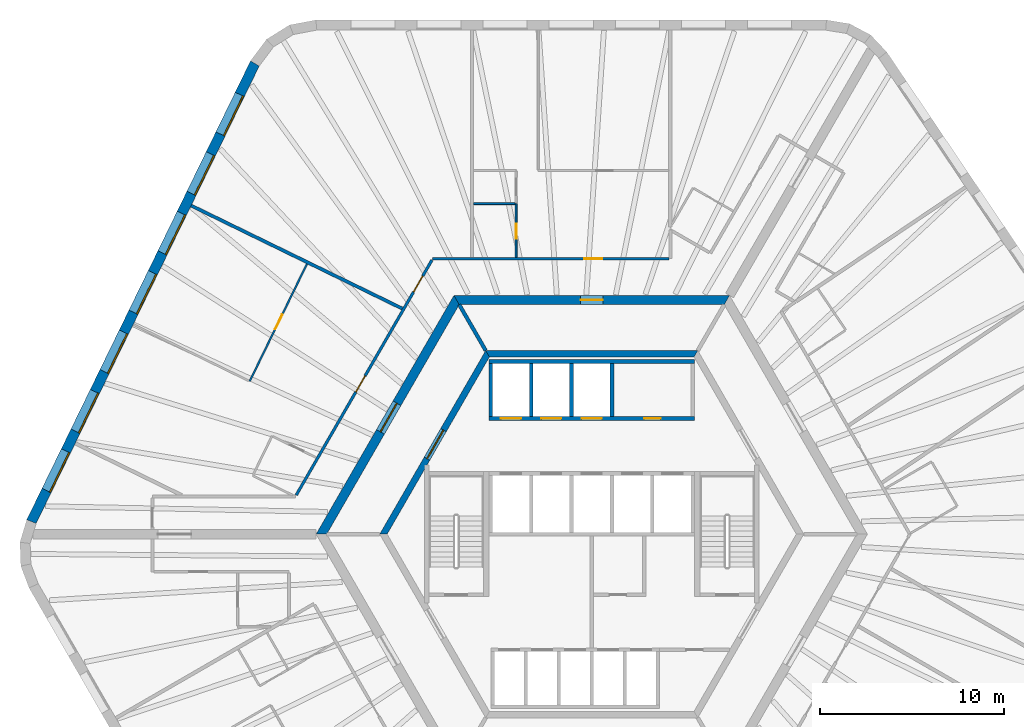
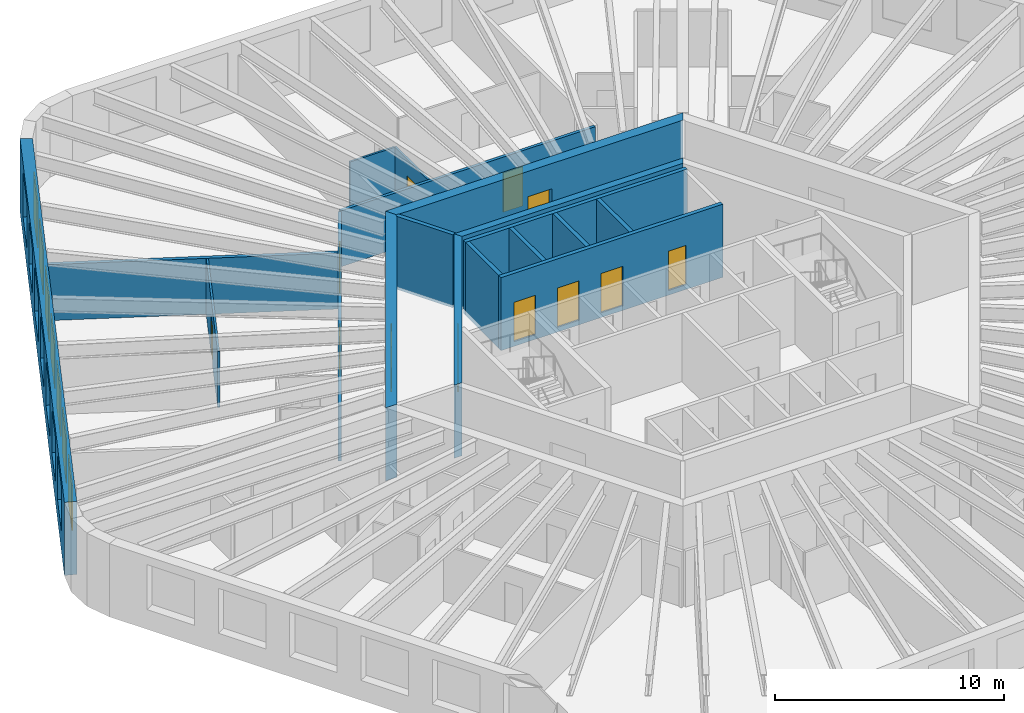
# One storey, part 7 of 10: 18 walls, 12 doors, 7 windows, 19 openings.
"""IFC4 building model written with IfcOpenShell, lengths in metres."""

from ifc_helpers import new_model, si_unit, direction, frame, frame_2d, origin, place, context, subcontext, project, spatial, polyline, rectangle, outline, extrude, material, layer, layer_set, type_object, element, fill, save


model = new_model("IFC4")

# Units and contexts
model_context = context("Model", 3, precision=1e-05, world=origin(), true_north=direction((0.0, 1.0)))
body_context = subcontext(model_context, "Body", "Model", "MODEL_VIEW")
ifc_project = project(units=[si_unit("LENGTHUNIT", "METRE"), si_unit("AREAUNIT", "SQUARE_METRE"), si_unit("VOLUMEUNIT", "CUBIC_METRE"), si_unit("PLANEANGLEUNIT", "RADIAN"), si_unit("MASSUNIT", "GRAM", prefix="KILO")], contexts=[model_context])

# Site, building, storey
site_placement = place(None, origin())
site = spatial("IfcSite", under=ifc_project, at=site_placement, CompositionType="ELEMENT")
building_placement = place(site_placement, origin())
building = spatial("IfcBuilding", under=site, at=building_placement, Name="Tarnside Tower", CompositionType="ELEMENT")
storey_placement = place(building_placement, frame((0.0, 0.0, 199.5)))
storey = spatial("IfcBuildingStorey", under=building, at=storey_placement, Name="L47", CompositionType="ELEMENT", Elevation=199.5)

# Wall, opening, door
ifc_material_1 = material(Name="Gypsum board partition on steel studs", Category="steel")
ifc_layer_1 = layer(ifc_material_1, 0.10009765625)
ifc_layer_set_1 = layer_set([ifc_layer_1], Name="Bathroom wall 100")
wall_type_1 = type_object("IfcWallType", Name="Bathroom wall 100", PredefinedType="PARTITIONING", material=ifc_layer_set_1)
wall_1_placement = place(storey_placement, frame((-4.117919921875, 18.0, 0.0), z_axis=(0.0, 0.0, 1.0), x_axis=(0.0, -1.0, 0.0)))
wall_1 = element("IfcWall", 1, at=wall_1_placement, inside=storey, type_object=wall_type_1, Name="Bathroom wall 15054", PredefinedType="PARTITIONING", context=body_context, shape_type="SweptSolid", body=[
    extrude(rectangle(XDim=2.925048828125, YDim=0.10009765625, at=frame_2d((1.46240234375, 0.0))), origin(), (0.0, 0.0, 1.0), 2.98779296875),
])
opening_1_placement = place(wall_1_placement, frame((1.10009765625, 0.0, 0.0)))
opening_1 = element("IfcOpeningElement", 2, at=opening_1_placement, cuts=wall_1, Name="Opening D-B1", PredefinedType="OPENING", context=body_context, shape_type="SweptSolid", body=[
    extrude(rectangle(XDim=0.800048828125, YDim=2.10009765625, at=frame_2d((0.39990234375, 1.050048828125))), frame((0.0, 0.06005859375, 0.0), z_axis=(0.0, -1.0, 0.0), x_axis=(1.0, 0.0, 0.0)), (0.0, 0.0, 1.0), 0.1201171875),
])
ifc_material_2 = material(Name="Timber door leaf", Category="wood")
door_type_1 = type_object("IfcDoorType", Name="Bathroom door 800", OperationType="NOTDEFINED", PredefinedType="DOOR", material=ifc_material_2)
door_1_placement = place(opening_1_placement, origin())
door_1 = element("IfcDoor", 3, at=door_1_placement, inside=storey, type_object=door_type_1, Name="Bathroom door 15004", OperationType="SINGLE_SWING_LEFT", OverallHeight=2.10009765625, OverallWidth=0.800048828125, PredefinedType="DOOR", context=body_context, shape_type="SweptSolid", body=[
    extrude(rectangle(XDim=0.800048828125, YDim=2.10009765625, at=frame_2d((0.39990234375, 1.050048828125))), frame((0.0, 0.02490234375, 0.0), z_axis=(0.0, -1.0, 0.0), x_axis=(1.0, 0.0, 0.0)), (0.0, 0.0, 1.0), 0.050048828125),
])
fill(opening_1, door_1)

# Wall
wall_2_placement = place(storey_placement, frame((-4.16796875, 18.0, 0.0), z_axis=(0.0, 0.0, 1.0), x_axis=(-1.0, 0.0, 0.0)))
element("IfcWall", 4, at=wall_2_placement, inside=storey, type_object=wall_type_1, Name="Bathroom wall 15060", PredefinedType="PARTITIONING", context=body_context, shape_type="SweptSolid", body=[
    extrude(rectangle(XDim=2.260009765625, YDim=0.10009765625, at=frame_2d((1.1298828125, 0.0))), origin(), (0.0, 0.0, 1.0), 2.98779296875),
])

# Wall, opening, door
ifc_material_3 = material(Name="Concrete C50/60", Category="concrete")
ifc_layer_2 = layer(ifc_material_3, 0.35009765625)
ifc_layer_set_2 = layer_set([ifc_layer_2], Name="Core block wall 350 C50/60")
wall_type_2 = type_object("IfcWallType", Name="Core block wall 350 C50/60", PredefinedType="SHEAR", material=ifc_layer_set_2)
wall_3_placement = place(storey_placement, frame((-5.672607421875, 9.824951171875, -0.14990234375), z_axis=(0.0, 0.0, 1.0), x_axis=(-0.499995046907, -0.866028263435, 0.0)))
wall_3 = element("IfcWall", 5, at=wall_3_placement, inside=storey, type_object=wall_type_2, Name="L47 core block wall face 2", PredefinedType="SHEAR", context=body_context, shape_type="SweptSolid", body=[
    extrude(outline(polyline([(-0.10107421875, -0.175048828125), (11.44580078125, -0.175048828125), (11.24365234375, 0.175048828125), (0.10107421875, 0.175048828125), (-0.10107421875, -0.175048828125)])), origin(), (0.0, 0.0, 1.0), 3.89990234375),
])
opening_2_placement = place(wall_3_placement, frame((4.80126953125, 0.0, 0.14990234375)))
opening_2 = element("IfcOpeningElement", 6, at=opening_2_placement, cuts=wall_3, Name="Opening CD-LOB", PredefinedType="OPENING", context=body_context, shape_type="SweptSolid", body=[
    extrude(rectangle(XDim=1.800048828125, YDim=2.39990234375, at=frame_2d((0.89990234375, 1.199951171875))), frame((0.0, 0.18505859375, 0.0), z_axis=(0.0, -1.0, 0.0), x_axis=(1.0, 0.0, 0.0)), (0.0, 0.0, 1.0), 0.3701171875),
])
ifc_material_4 = material(Name="Steel fire door", Category="steel")
door_type_2 = type_object("IfcDoorType", Name="Lobby double door FD30S 1800x2400", OperationType="NOTDEFINED", PredefinedType="DOOR", material=ifc_material_4)
door_2_placement = place(opening_2_placement, origin())
door_2 = element("IfcDoor", 7, at=door_2_placement, inside=storey, type_object=door_type_2, Name="L47 lobby block door P1", OperationType="DOUBLE_DOOR_SINGLE_SWING", OverallHeight=2.39990234375, OverallWidth=1.800048828125, PredefinedType="DOOR", context=body_context, shape_type="SweptSolid", body=[
    extrude(rectangle(XDim=1.800048828125, YDim=2.39990234375, at=frame_2d((0.89990234375, 1.199951171875))), frame((0.0, 0.02490234375, 0.0), z_axis=(0.0, -1.0, 0.0), x_axis=(1.0, 0.0, 0.0)), (0.0, 0.0, 1.0), 0.050048828125),
])
fill(opening_2, door_2)

# Wall
wall_4_placement = place(storey_placement, frame((5.672607421875, 9.824951171875, -0.14990234375), z_axis=(0.0, 0.0, 1.0), x_axis=(-1.0, 0.0, 0.0)))
element("IfcWall", 8, at=wall_4_placement, inside=storey, type_object=wall_type_2, Name="L47 core block wall face 1", PredefinedType="SHEAR", context=body_context, shape_type="SweptSolid", body=[
    extrude(outline(polyline([(-0.10107421875, -0.175048828125), (11.4462890625, -0.175048828125), (11.244140625, 0.175048828125), (0.10107421875, 0.175048828125), (-0.10107421875, -0.175048828125)])), origin(), (0.0, 0.0, 1.0), 3.89990234375),
])

# Wall, opening, door
ifc_material_5 = material(Name="Concrete C70/85", Category="concrete")
ifc_layer_3 = layer(ifc_material_5, 0.5)
ifc_layer_set_3 = layer_set([ifc_layer_3], Name="Core wall Z2 500 C70/85")
wall_type_3 = type_object("IfcWallType", Name="Core wall Z2 500 C70/85", PredefinedType="SHEAR", material=ifc_layer_set_3)
wall_5_placement = place(storey_placement, frame((-7.361083984375, 12.75, -0.14990234375), z_axis=(0.0, 0.0, 1.0), x_axis=(-0.50000571537, -0.866022103989, 0.0)))
wall_5 = element("IfcWall", 9, at=wall_5_placement, inside=storey, type_object=wall_type_3, Name="L47 core wall face 2", PredefinedType="SHEAR", context=body_context, shape_type="SweptSolid", body=[
    extrude(outline(polyline([(-0.144287109375, -0.25), (14.86669921875, -0.25), (14.578125, 0.25), (0.144287109375, 0.25), (-0.144287109375, -0.25)])), origin(), (0.0, 0.0, 1.0), 3.89990234375),
])
opening_3_placement = place(wall_5_placement, frame((6.489990234375, 0.0, 0.14990234375)))
opening_3 = element("IfcOpeningElement", 10, at=opening_3_placement, cuts=wall_5, Name="Opening CD-LOB", PredefinedType="OPENING", context=body_context, shape_type="SweptSolid", body=[
    extrude(rectangle(XDim=1.800048828125, YDim=2.39990234375, at=frame_2d((0.89990234375, 1.199951171875))), frame((0.0, 0.260009765625, 0.0), z_axis=(0.0, -1.0, 0.0), x_axis=(1.0, 0.0, 0.0)), (0.0, 0.0, 1.0), 0.52001953125),
])
door_3_placement = place(opening_3_placement, origin())
door_3 = element("IfcDoor", 11, at=door_3_placement, inside=storey, type_object=door_type_2, Name="L47 core door P1", OperationType="DOUBLE_DOOR_SINGLE_SWING", OverallHeight=2.39990234375, OverallWidth=1.800048828125, PredefinedType="DOOR", context=body_context, shape_type="SweptSolid", body=[
    extrude(rectangle(XDim=1.800048828125, YDim=2.39990234375, at=frame_2d((0.89990234375, 1.199951171875))), frame((0.0, 0.02490234375, 0.0), z_axis=(0.0, -1.0, 0.0), x_axis=(1.0, 0.0, 0.0)), (0.0, 0.0, 1.0), 0.050048828125),
])
fill(opening_3, door_3)

wall_6_placement = place(storey_placement, frame((7.361083984375, 12.75, -0.14990234375), z_axis=(0.0, 0.0, 1.0), x_axis=(-1.0, 0.0, 0.0)))
wall_6 = element("IfcWall", 12, at=wall_6_placement, inside=storey, type_object=wall_type_3, Name="L47 core wall face 1", PredefinedType="SHEAR", context=body_context, shape_type="SweptSolid", body=[
    extrude(outline(polyline([(-0.144287109375, -0.25), (14.866455078125, -0.25), (14.577880859375, 0.25), (0.144287109375, 0.25), (-0.144287109375, -0.25)])), origin(), (0.0, 0.0, 1.0), 3.89990234375),
])
opening_4_placement = place(wall_6_placement, frame((6.76123046875, 0.0, 0.14990234375)))
opening_4 = element("IfcOpeningElement", 13, at=opening_4_placement, cuts=wall_6, Name="Opening CD-RSR", PredefinedType="OPENING", context=body_context, shape_type="SweptSolid", body=[
    extrude(rectangle(XDim=1.199951171875, YDim=2.39990234375, at=frame_2d((0.60009765625, 1.199951171875))), frame((0.0, 0.260009765625, 0.0), z_axis=(0.0, -1.0, 0.0), x_axis=(1.0, 0.0, 0.0)), (0.0, 0.0, 1.0), 0.52001953125),
])
door_type_3 = type_object("IfcDoorType", Name="Riser door FD60 1200x2400", OperationType="NOTDEFINED", PredefinedType="DOOR", material=ifc_material_4)
door_4_placement = place(opening_4_placement, origin())
door_4 = element("IfcDoor", 14, at=door_4_placement, inside=storey, type_object=door_type_3, Name="L47 core door S5", OperationType="SINGLE_SWING_LEFT", OverallHeight=2.39990234375, OverallWidth=1.199951171875, PredefinedType="DOOR", context=body_context, shape_type="SweptSolid", body=[
    extrude(rectangle(XDim=1.199951171875, YDim=2.39990234375, at=frame_2d((0.60009765625, 1.199951171875))), frame((0.0, 0.02490234375, 0.0), z_axis=(0.0, -1.0, 0.0), x_axis=(1.0, 0.0, 0.0)), (0.0, 0.0, 1.0), 0.050048828125),
])
fill(opening_4, door_4)

ifc_layer_4 = layer(ifc_material_1, 0.14990234375)
ifc_layer_set_4 = layer_set([ifc_layer_4], Name="Corridor wall 150 EI 60")
wall_type_4 = type_object("IfcWallType", Name="Corridor wall 150 EI 60", PredefinedType="PARTITIONING", material=ifc_layer_set_4)
wall_7_placement = place(storey_placement, frame((4.20703125, 15.0, 0.0), z_axis=(0.0, 0.0, 1.0), x_axis=(-1.0, 0.0, 0.0)))
wall_7 = element("IfcWall", 15, at=wall_7_placement, inside=storey, type_object=wall_type_4, Name="Corridor wall 15006", PredefinedType="PARTITIONING", context=body_context, shape_type="SweptSolid", body=[
    extrude(rectangle(XDim=12.8671875, YDim=0.14990234375, at=frame_2d((6.43359375, 0.0))), origin(), (0.0, 0.0, 1.0), 2.98779296875),
])
opening_5_placement = place(wall_7_placement, frame((3.625, 0.0, 0.0)))
opening_5 = element("IfcOpeningElement", 16, at=opening_5_placement, cuts=wall_7, Name="Opening D-E1", PredefinedType="OPENING", context=body_context, shape_type="SweptSolid", body=[
    extrude(rectangle(XDim=1.0, YDim=2.10009765625, at=frame_2d((0.5, 1.050048828125))), frame((0.0, 0.0849609375, 0.0), z_axis=(0.0, -1.0, 0.0), x_axis=(1.0, 0.0, 0.0)), (0.0, 0.0, 1.0), 0.169921875),
])
door_type_4 = type_object("IfcDoorType", Name="Unit entrance door 1000 FD30S", OperationType="NOTDEFINED", PredefinedType="DOOR", material=ifc_material_2)
door_5_placement = place(opening_5_placement, origin())
door_5 = element("IfcDoor", 17, at=door_5_placement, inside=storey, type_object=door_type_4, Name="Unit door 15003", OperationType="SINGLE_SWING_RIGHT", OverallHeight=2.10009765625, OverallWidth=1.0, PredefinedType="DOOR", context=body_context, shape_type="SweptSolid", body=[
    extrude(rectangle(XDim=1.0, YDim=2.10009765625, at=frame_2d((0.5, 1.050048828125))), frame((0.0, 0.02490234375, 0.0), z_axis=(0.0, -1.0, 0.0), x_axis=(1.0, 0.0, 0.0)), (0.0, 0.0, 1.0), 0.050048828125),
])
fill(opening_5, door_5)

# Wall, openings, doors
wall_8_placement = place(storey_placement, frame((-8.70361328125, 14.925048828125, 0.0), z_axis=(0.0, 0.0, 1.0), x_axis=(-0.500001272756, -0.866024668957, 0.0)))
wall_8 = element("IfcWall", 18, at=wall_8_placement, inside=storey, type_object=wall_type_4, Name="Corridor wall 15009", PredefinedType="PARTITIONING", context=body_context, shape_type="SweptSolid", body=[
    extrude(rectangle(XDim=14.7802734375, YDim=0.14990234375, at=frame_2d((7.39013671875, 0.0))), origin(), (0.0, 0.0, 1.0), 2.98779296875),
])
opening_6_placement = place(wall_8_placement, frame((1.0009765625, 0.0, 0.0)))
opening_6 = element("IfcOpeningElement", 19, at=opening_6_placement, cuts=wall_8, Name="Opening D-E1", PredefinedType="OPENING", context=body_context, shape_type="SweptSolid", body=[
    extrude(rectangle(XDim=1.0, YDim=2.10009765625, at=frame_2d((0.5, 1.050048828125))), frame((0.0, 0.0849609375, 0.0), z_axis=(0.0, -1.0, 0.0), x_axis=(1.0, 0.0, 0.0)), (0.0, 0.0, 1.0), 0.169921875),
])
opening_7_placement = place(wall_8_placement, frame((7.28076171875, 0.0, 0.0)))
opening_7 = element("IfcOpeningElement", 20, at=opening_7_placement, cuts=wall_8, Name="Opening D-E1", PredefinedType="OPENING", context=body_context, shape_type="SweptSolid", body=[
    extrude(rectangle(XDim=1.0, YDim=2.10009765625, at=frame_2d((0.5, 1.050048828125))), frame((0.0, 0.0849609375, 0.0), z_axis=(0.0, -1.0, 0.0), x_axis=(1.0, 0.0, 0.0)), (0.0, 0.0, 1.0), 0.169921875),
])
door_6_placement = place(opening_6_placement, origin())
door_6 = element("IfcDoor", 21, at=door_6_placement, inside=storey, type_object=door_type_4, Name="Unit door 15007", OperationType="SINGLE_SWING_RIGHT", OverallHeight=2.10009765625, OverallWidth=1.0, PredefinedType="DOOR", context=body_context, shape_type="SweptSolid", body=[
    extrude(rectangle(XDim=1.0, YDim=2.10009765625, at=frame_2d((0.5, 1.050048828125))), frame((0.0, 0.02490234375, 0.0), z_axis=(0.0, -1.0, 0.0), x_axis=(1.0, 0.0, 0.0)), (0.0, 0.0, 1.0), 0.050048828125),
])
fill(opening_6, door_6)
door_7_placement = place(opening_7_placement, origin())
door_7 = element("IfcDoor", 22, at=door_7_placement, inside=storey, type_object=door_type_4, Name="Unit door 15008", OperationType="SINGLE_SWING_RIGHT", OverallHeight=2.10009765625, OverallWidth=1.0, PredefinedType="DOOR", context=body_context, shape_type="SweptSolid", body=[
    extrude(rectangle(XDim=1.0, YDim=2.10009765625, at=frame_2d((0.5, 1.050048828125))), frame((0.0, 0.02490234375, 0.0), z_axis=(0.0, -1.0, 0.0), x_axis=(1.0, 0.0, 0.0)), (0.0, 0.0, 1.0), 0.050048828125),
])
fill(opening_7, door_7)

# Wall
ifc_layer_5 = layer(ifc_material_1, 0.179931640625)
ifc_layer_set_5 = layer_set([ifc_layer_5], Name="Demising wall 180 EI 60")
wall_type_5 = type_object("IfcWallType", Name="Demising wall 180 EI 60", PredefinedType="PARTITIONING", material=ifc_layer_set_5)
wall_9_placement = place(storey_placement, frame((-21.814697265625, 17.8916015625, 0.0), z_axis=(0.0, 0.0, 1.0), x_axis=(0.898799253997, -0.438360469265, 0.0)))
element("IfcWall", 23, at=wall_9_placement, inside=storey, type_object=wall_type_5, Name="Demising wall 15063", PredefinedType="PARTITIONING", context=body_context, shape_type="SweptSolid", body=[
    extrude(rectangle(XDim=12.7939453125, YDim=0.179931640625, at=frame_2d((6.39697265625, 0.0))), origin(), (0.0, 0.0, 1.0), 2.98779296875),
])

# Wall, openings, doors
ifc_material_6 = material(Name="Concrete C40/50", Category="concrete")
ifc_layer_6 = layer(ifc_material_6, 0.199951171875)
ifc_layer_set_6 = layer_set([ifc_layer_6], Name="Lift shaft wall 200 C40/50")
wall_type_6 = type_object("IfcWallType", Name="Lift shaft wall 200 C40/50", PredefinedType="SHEAR", material=ifc_layer_set_6)
wall_10_placement = place(storey_placement, frame((-5.60009765625, 6.300048828125, -0.25), z_axis=(0.0, 0.0, 1.0), x_axis=(1.0, 0.0, 0.0)))
wall_10 = element("IfcWall", 24, at=wall_10_placement, inside=storey, type_object=wall_type_6, Name="L47 lift shaft front wall R1", PredefinedType="SHEAR", context=body_context, shape_type="SweptSolid", body=[
    extrude(rectangle(XDim=11.2001953125, YDim=0.199951171875, at=frame_2d((5.60009765625, 0.0))), origin(), (0.0, 0.0, 1.0), 3.89990234375),
])
opening_8_placement = place(wall_10_placement, frame((8.449951171875, 0.0, 0.25)))
opening_8 = element("IfcOpeningElement", 25, at=opening_8_placement, cuts=wall_10, Name="Opening CD-room", PredefinedType="OPENING", context=body_context, shape_type="SweptSolid", body=[
    extrude(rectangle(XDim=0.89990234375, YDim=2.10009765625, at=frame_2d((0.449951171875, 1.050048828125))), frame((0.0, 0.10986328125, 0.0), z_axis=(0.0, -1.0, 0.0), x_axis=(1.0, 0.0, 0.0)), (0.0, 0.0, 1.0), 0.219970703125),
])
opening_9_placement = place(wall_10_placement, frame((0.64990234375, 0.0, 0.25)))
opening_9 = element("IfcOpeningElement", 26, at=opening_9_placement, cuts=wall_10, Name="Opening LD", PredefinedType="OPENING", context=body_context, shape_type="SweptSolid", body=[
    extrude(rectangle(XDim=1.10009765625, YDim=2.10009765625, at=frame_2d((0.550048828125, 1.050048828125))), frame((0.0, 0.10986328125, 0.0), z_axis=(0.0, -1.0, 0.0), x_axis=(1.0, 0.0, 0.0)), (0.0, 0.0, 1.0), 0.219970703125),
])
opening_10_placement = place(wall_10_placement, frame((2.85009765625, 0.0, 0.25)))
opening_10 = element("IfcOpeningElement", 27, at=opening_10_placement, cuts=wall_10, Name="Opening LD", PredefinedType="OPENING", context=body_context, shape_type="SweptSolid", body=[
    extrude(rectangle(XDim=1.10009765625, YDim=2.10009765625, at=frame_2d((0.550048828125, 1.050048828125))), frame((0.0, 0.10986328125, 0.0), z_axis=(0.0, -1.0, 0.0), x_axis=(1.0, 0.0, 0.0)), (0.0, 0.0, 1.0), 0.219970703125),
])
opening_11_placement = place(wall_10_placement, frame((5.050048828125, 0.0, 0.25)))
opening_11 = element("IfcOpeningElement", 28, at=opening_11_placement, cuts=wall_10, Name="Opening LD", PredefinedType="OPENING", context=body_context, shape_type="SweptSolid", body=[
    extrude(rectangle(XDim=1.10009765625, YDim=2.10009765625, at=frame_2d((0.550048828125, 1.050048828125))), frame((0.0, 0.10986328125, 0.0), z_axis=(0.0, -1.0, 0.0), x_axis=(1.0, 0.0, 0.0)), (0.0, 0.0, 1.0), 0.219970703125),
])
ifc_material_7 = material(Name="Stainless steel", Category="steel")
door_type_5 = type_object("IfcDoorType", Name="Lift landing door 1100x2100", OperationType="NOTDEFINED", PredefinedType="DOOR", material=ifc_material_7)
door_8_placement = place(opening_9_placement, origin())
door_8 = element("IfcDoor", 29, at=door_8_placement, inside=storey, type_object=door_type_5, Name="Mid-rise lift 1 landing door L47", OperationType="SLIDING_TO_LEFT", OverallHeight=2.10009765625, OverallWidth=1.10009765625, PredefinedType="DOOR", context=body_context, shape_type="SweptSolid", body=[
    extrude(rectangle(XDim=1.10009765625, YDim=2.10009765625, at=frame_2d((0.550048828125, 1.050048828125))), frame((0.0, 0.02490234375, 0.0), z_axis=(0.0, -1.0, 0.0), x_axis=(1.0, 0.0, 0.0)), (0.0, 0.0, 1.0), 0.050048828125),
])
fill(opening_9, door_8)
door_9_placement = place(opening_10_placement, origin())
door_9 = element("IfcDoor", 30, at=door_9_placement, inside=storey, type_object=door_type_5, Name="Mid-rise lift 2 landing door L47", OperationType="SLIDING_TO_LEFT", OverallHeight=2.10009765625, OverallWidth=1.10009765625, PredefinedType="DOOR", context=body_context, shape_type="SweptSolid", body=[
    extrude(rectangle(XDim=1.10009765625, YDim=2.10009765625, at=frame_2d((0.550048828125, 1.050048828125))), frame((0.0, 0.02490234375, 0.0), z_axis=(0.0, -1.0, 0.0), x_axis=(1.0, 0.0, 0.0)), (0.0, 0.0, 1.0), 0.050048828125),
])
fill(opening_10, door_9)
door_10_placement = place(opening_11_placement, origin())
door_10 = element("IfcDoor", 31, at=door_10_placement, inside=storey, type_object=door_type_5, Name="Mid-rise lift 3 landing door L47", OperationType="SLIDING_TO_LEFT", OverallHeight=2.10009765625, OverallWidth=1.10009765625, PredefinedType="DOOR", context=body_context, shape_type="SweptSolid", body=[
    extrude(rectangle(XDim=1.10009765625, YDim=2.10009765625, at=frame_2d((0.550048828125, 1.050048828125))), frame((0.0, 0.02490234375, 0.0), z_axis=(0.0, -1.0, 0.0), x_axis=(1.0, 0.0, 0.0)), (0.0, 0.0, 1.0), 0.050048828125),
])
fill(opening_11, door_10)
door_type_6 = type_object("IfcDoorType", Name="Room door FD60 900x2100", OperationType="NOTDEFINED", PredefinedType="DOOR", material=ifc_material_4)
door_11_placement = place(opening_8_placement, origin())
door_11 = element("IfcDoor", 32, at=door_11_placement, inside=storey, type_object=door_type_6, Name="L47 core room door FC1", OperationType="SINGLE_SWING_LEFT", OverallHeight=2.10009765625, OverallWidth=0.89990234375, PredefinedType="DOOR", context=body_context, shape_type="SweptSolid", body=[
    extrude(rectangle(XDim=0.89990234375, YDim=2.10009765625, at=frame_2d((0.449951171875, 1.050048828125))), frame((0.0, 0.02490234375, 0.0), z_axis=(0.0, -1.0, 0.0), x_axis=(1.0, 0.0, 0.0)), (0.0, 0.0, 1.0), 0.050048828125),
])
fill(opening_8, door_11)

# Walls
wall_11_placement = place(storey_placement, frame((-5.60009765625, 9.39990234375, -0.25), z_axis=(0.0, 0.0, 1.0), x_axis=(1.0, 0.0, 0.0)))
element("IfcWall", 33, at=wall_11_placement, inside=storey, type_object=wall_type_6, Name="L47 lift shaft back wall R1", PredefinedType="SHEAR", context=body_context, shape_type="SweptSolid", body=[
    extrude(rectangle(XDim=11.2001953125, YDim=0.199951171875, at=frame_2d((5.60009765625, 0.0))), origin(), (0.0, 0.0, 1.0), 3.89990234375),
])
for number, where, z_axis, x_axis, name in (
    (34, (-5.5, 6.39990234375, -0.25), (0.0, 0.0, 1.0), (0.0, 1.0, 0.0), "L47 lift shaft partition R11"),
    (35, (-3.300048828125, 6.39990234375, -0.25), (0.0, 0.0, 1.0), (0.0, 1.0, 0.0), "L47 lift shaft partition R12"),
    (36, (-1.10009765625, 6.39990234375, -0.25), (0.0, 0.0, 1.0), (0.0, 1.0, 0.0), "L47 lift shaft partition R13"),
    (37, (1.10009765625, 6.39990234375, -0.25), (0.0, 0.0, 1.0), (0.0, 1.0, 0.0), "L47 lift shaft partition R14"),
):
    element("IfcWall", number, at=place(storey_placement, frame(where, z_axis=z_axis, x_axis=x_axis)), inside=storey, type_object=wall_type_6, Name=name, PredefinedType="SHEAR", context=body_context, shape_type="SweptSolid", body=[
        extrude(rectangle(XDim=2.900146484375, YDim=0.199951171875, at=frame_2d((1.4501953125, 0.0))), origin(), (0.0, 0.0, 1.0), 3.89990234375),
    ])
wall_12_placement = place(storey_placement, frame((-5.7734375, 10.0, -0.14990234375), z_axis=(0.0, 0.0, 1.0), x_axis=(-0.499995765644, 0.866027848477, 0.0)))
element("IfcWall", 38, at=wall_12_placement, inside=storey, type_object=wall_type_6, Name="L47 core partition AR120", PredefinedType="SHEAR", context=body_context, shape_type="SweptSolid", body=[
    extrude(rectangle(XDim=2.88671875, YDim=0.199951171875, at=frame_2d((1.443359375, 0.0))), origin(), (0.0, 0.0, 1.0), 3.89990234375),
])

# Wall, opening, door
ifc_layer_7 = layer(ifc_material_1, 0.10009765625)
ifc_layer_set_7 = layer_set([ifc_layer_7], Name="Partition 100")
wall_type_7 = type_object("IfcWallType", Name="Partition 100", PredefinedType="PARTITIONING", material=ifc_layer_set_7)
wall_13_placement = place(storey_placement, frame((-15.510009765625, 14.716552734375, 0.0), z_axis=(0.0, 0.0, 1.0), x_axis=(-0.438387776054, -0.898785935475, 0.0)))
wall_13 = element("IfcWall", 39, at=wall_13_placement, inside=storey, type_object=wall_type_7, Name="Partition wall 15068", PredefinedType="PARTITIONING", context=body_context, shape_type="SweptSolid", body=[
    extrude(rectangle(XDim=7.110107421875, YDim=0.10009765625, at=frame_2d((3.55517578125, 0.0))), origin(), (0.0, 0.0, 1.0), 2.98779296875),
])
opening_12_placement = place(wall_13_placement, frame((3.06005859375, 0.0, 0.0)))
opening_12 = element("IfcOpeningElement", 40, at=opening_12_placement, cuts=wall_13, Name="Opening D-I1", PredefinedType="OPENING", context=body_context, shape_type="SweptSolid", body=[
    extrude(rectangle(XDim=0.89990234375, YDim=2.10009765625, at=frame_2d((0.449951171875, 1.050048828125))), frame((0.0, 0.06005859375, 0.0), z_axis=(0.0, -1.0, 0.0), x_axis=(1.0, 0.0, 0.0)), (0.0, 0.0, 1.0), 0.1201171875),
])
door_type_7 = type_object("IfcDoorType", Name="Internal door 900", OperationType="NOTDEFINED", PredefinedType="DOOR", material=ifc_material_2)
door_12_placement = place(opening_12_placement, origin())
door_12 = element("IfcDoor", 41, at=door_12_placement, inside=storey, type_object=door_type_7, Name="Internal door 15010", OperationType="SINGLE_SWING_RIGHT", OverallHeight=2.10009765625, OverallWidth=0.89990234375, PredefinedType="DOOR", context=body_context, shape_type="SweptSolid", body=[
    extrude(rectangle(XDim=0.89990234375, YDim=2.10009765625, at=frame_2d((0.449951171875, 1.050048828125))), frame((0.0, 0.02490234375, 0.0), z_axis=(0.0, -1.0, 0.0), x_axis=(1.0, 0.0, 0.0)), (0.0, 0.0, 1.0), 0.050048828125),
])
fill(opening_12, door_12)

# Wall, openings, windows
ifc_material_8 = material(Name="Facing brick", Category="masonry")
ifc_layer_8 = layer(ifc_material_8, 0.10205078125)
ifc_material_9 = material(Name="Concrete C60/75 precast", Category="concrete")
ifc_layer_9 = layer(ifc_material_9, 0.347900390625)
ifc_material_10 = material(Name="Mineral wool insulation")
ifc_layer_10 = layer(ifc_material_10, 0.10009765625)
ifc_layer_set_8 = layer_set([ifc_layer_8, ifc_layer_9, ifc_layer_10], Name="Tube wall 550 brick faced")
wall_type_8 = type_object("IfcWallType", Name="Tube wall 550 brick faced", PredefinedType="SOLIDWALL", material=ifc_layer_set_8)
wall_14_placement = place(storey_placement, frame((-18.344970703125, 25.6328125, -0.14990234375), z_axis=(0.0, 0.0, 1.0), x_axis=(-0.43837181828, -0.898793718791, 0.0)))
wall_14 = element("IfcWall", 42, at=wall_14_placement, inside=storey, type_object=wall_type_8, Name="Tube wall L47 F2 flush 04", PredefinedType="SOLIDWALL", context=body_context, shape_type="SweptSolid", body=[
    extrude(outline(polyline([(-0.025634765625, -0.27490234375), (27.7802734375, -0.27490234375), (27.7353515625, 0.27490234375), (0.025634765625, 0.27490234375), (-0.025634765625, -0.27490234375)])), origin(), (0.0, 0.0, 1.0), 3.89990234375),
])
opening_13_placement = place(wall_14_placement, frame((1.87890625, 0.0, 1.050048828125)))
opening_13 = element("IfcOpeningElement", 43, at=opening_13_placement, cuts=wall_14, Name="Opening WH", PredefinedType="OPENING", context=body_context, shape_type="SweptSolid", body=[
    extrude(rectangle(XDim=2.39990234375, YDim=2.39990234375, at=frame_2d((1.199951171875, 1.199951171875))), frame((0.0, 0.28515625, 0.0), z_axis=(0.0, -1.0, 0.0), x_axis=(1.0, 0.0, 0.0)), (0.0, 0.0, 1.0), 0.570068359375),
])
opening_14_placement = place(wall_14_placement, frame((5.47900390625, 0.0, 1.050048828125)))
opening_14 = element("IfcOpeningElement", 44, at=opening_14_placement, cuts=wall_14, Name="Opening WH", PredefinedType="OPENING", context=body_context, shape_type="SweptSolid", body=[
    extrude(rectangle(XDim=2.39990234375, YDim=2.39990234375, at=frame_2d((1.199951171875, 1.199951171875))), frame((0.0, 0.28515625, 0.0), z_axis=(0.0, -1.0, 0.0), x_axis=(1.0, 0.0, 0.0)), (0.0, 0.0, 1.0), 0.570068359375),
])
opening_15_placement = place(wall_14_placement, frame((9.078857421875, 0.0, 1.050048828125)))
opening_15 = element("IfcOpeningElement", 45, at=opening_15_placement, cuts=wall_14, Name="Opening WH", PredefinedType="OPENING", context=body_context, shape_type="SweptSolid", body=[
    extrude(rectangle(XDim=2.39990234375, YDim=2.39990234375, at=frame_2d((1.199951171875, 1.199951171875))), frame((0.0, 0.28515625, 0.0), z_axis=(0.0, -1.0, 0.0), x_axis=(1.0, 0.0, 0.0)), (0.0, 0.0, 1.0), 0.570068359375),
])
opening_16_placement = place(wall_14_placement, frame((12.678955078125, 0.0, 1.050048828125)))
opening_16 = element("IfcOpeningElement", 46, at=opening_16_placement, cuts=wall_14, Name="Opening WH", PredefinedType="OPENING", context=body_context, shape_type="SweptSolid", body=[
    extrude(rectangle(XDim=2.39990234375, YDim=2.39990234375, at=frame_2d((1.199951171875, 1.199951171875))), frame((0.0, 0.28515625, 0.0), z_axis=(0.0, -1.0, 0.0), x_axis=(1.0, 0.0, 0.0)), (0.0, 0.0, 1.0), 0.570068359375),
])
opening_17_placement = place(wall_14_placement, frame((16.27880859375, 0.0, 1.050048828125)))
opening_17 = element("IfcOpeningElement", 47, at=opening_17_placement, cuts=wall_14, Name="Opening WH", PredefinedType="OPENING", context=body_context, shape_type="SweptSolid", body=[
    extrude(rectangle(XDim=2.39990234375, YDim=2.39990234375, at=frame_2d((1.199951171875, 1.199951171875))), frame((0.0, 0.28515625, 0.0), z_axis=(0.0, -1.0, 0.0), x_axis=(1.0, 0.0, 0.0)), (0.0, 0.0, 1.0), 0.570068359375),
])
opening_18_placement = place(wall_14_placement, frame((19.87890625, 0.0, 1.050048828125)))
opening_18 = element("IfcOpeningElement", 48, at=opening_18_placement, cuts=wall_14, Name="Opening WH", PredefinedType="OPENING", context=body_context, shape_type="SweptSolid", body=[
    extrude(rectangle(XDim=2.39990234375, YDim=2.39990234375, at=frame_2d((1.199951171875, 1.199951171875))), frame((0.0, 0.28515625, 0.0), z_axis=(0.0, -1.0, 0.0), x_axis=(1.0, 0.0, 0.0)), (0.0, 0.0, 1.0), 0.570068359375),
])
opening_19_placement = place(wall_14_placement, frame((23.47900390625, 0.0, 1.050048828125)))
opening_19 = element("IfcOpeningElement", 49, at=opening_19_placement, cuts=wall_14, Name="Opening WH", PredefinedType="OPENING", context=body_context, shape_type="SweptSolid", body=[
    extrude(rectangle(XDim=2.39990234375, YDim=2.39990234375, at=frame_2d((1.199951171875, 1.199951171875))), frame((0.0, 0.28515625, 0.0), z_axis=(0.0, -1.0, 0.0), x_axis=(1.0, 0.0, 0.0)), (0.0, 0.0, 1.0), 0.570068359375),
])
ifc_material_11 = material(Name="Aluminium-framed double glazing", Category="aluminium")
window_type = type_object("IfcWindowType", Name="Hotel window 2400 x 2400", PartitioningType="DOUBLE_PANEL_VERTICAL", PredefinedType="WINDOW", material=ifc_material_11)
window_1_placement = place(opening_13_placement, frame((0.0, 0.205078125, 0.0)))
window_1 = element("IfcWindow", 50, at=window_1_placement, inside=storey, type_object=window_type, Name="E.WN.L47.F2.00", OverallHeight=2.39990234375, OverallWidth=2.39990234375, PartitioningType="DOUBLE_PANEL_VERTICAL", PredefinedType="WINDOW", context=body_context, shape_type="SweptSolid", body=[
    extrude(rectangle(XDim=2.39990234375, YDim=2.39990234375, at=frame_2d((1.199951171875, 1.199951171875))), frame((0.0, 0.030029296875, 0.0), z_axis=(0.0, -1.0, 0.0), x_axis=(1.0, 0.0, 0.0)), (0.0, 0.0, 1.0), 0.06005859375),
])
fill(opening_13, window_1)
window_2_placement = place(opening_14_placement, frame((0.0, 0.205078125, 0.0)))
window_2 = element("IfcWindow", 51, at=window_2_placement, inside=storey, type_object=window_type, Name="E.WN.L47.F2.01", OverallHeight=2.39990234375, OverallWidth=2.39990234375, PartitioningType="DOUBLE_PANEL_VERTICAL", PredefinedType="WINDOW", context=body_context, shape_type="SweptSolid", body=[
    extrude(rectangle(XDim=2.39990234375, YDim=2.39990234375, at=frame_2d((1.199951171875, 1.199951171875))), frame((0.0, 0.030029296875, 0.0), z_axis=(0.0, -1.0, 0.0), x_axis=(1.0, 0.0, 0.0)), (0.0, 0.0, 1.0), 0.06005859375),
])
fill(opening_14, window_2)
window_3_placement = place(opening_15_placement, frame((0.0, 0.205078125, 0.0)))
window_3 = element("IfcWindow", 52, at=window_3_placement, inside=storey, type_object=window_type, Name="E.WN.L47.F2.02", OverallHeight=2.39990234375, OverallWidth=2.39990234375, PartitioningType="DOUBLE_PANEL_VERTICAL", PredefinedType="WINDOW", context=body_context, shape_type="SweptSolid", body=[
    extrude(rectangle(XDim=2.39990234375, YDim=2.39990234375, at=frame_2d((1.199951171875, 1.199951171875))), frame((0.0, 0.030029296875, 0.0), z_axis=(0.0, -1.0, 0.0), x_axis=(1.0, 0.0, 0.0)), (0.0, 0.0, 1.0), 0.06005859375),
])
fill(opening_15, window_3)
window_4_placement = place(opening_16_placement, frame((0.0, 0.205078125, 0.0)))
window_4 = element("IfcWindow", 53, at=window_4_placement, inside=storey, type_object=window_type, Name="E.WN.L47.F2.03", OverallHeight=2.39990234375, OverallWidth=2.39990234375, PartitioningType="DOUBLE_PANEL_VERTICAL", PredefinedType="WINDOW", context=body_context, shape_type="SweptSolid", body=[
    extrude(rectangle(XDim=2.39990234375, YDim=2.39990234375, at=frame_2d((1.199951171875, 1.199951171875))), frame((0.0, 0.030029296875, 0.0), z_axis=(0.0, -1.0, 0.0), x_axis=(1.0, 0.0, 0.0)), (0.0, 0.0, 1.0), 0.06005859375),
])
fill(opening_16, window_4)
window_5_placement = place(opening_17_placement, frame((0.0, 0.205078125, 0.0)))
window_5 = element("IfcWindow", 54, at=window_5_placement, inside=storey, type_object=window_type, Name="E.WN.L47.F2.04", OverallHeight=2.39990234375, OverallWidth=2.39990234375, PartitioningType="DOUBLE_PANEL_VERTICAL", PredefinedType="WINDOW", context=body_context, shape_type="SweptSolid", body=[
    extrude(rectangle(XDim=2.39990234375, YDim=2.39990234375, at=frame_2d((1.199951171875, 1.199951171875))), frame((0.0, 0.030029296875, 0.0), z_axis=(0.0, -1.0, 0.0), x_axis=(1.0, 0.0, 0.0)), (0.0, 0.0, 1.0), 0.06005859375),
])
fill(opening_17, window_5)
window_6_placement = place(opening_18_placement, frame((0.0, 0.205078125, 0.0)))
window_6 = element("IfcWindow", 55, at=window_6_placement, inside=storey, type_object=window_type, Name="E.WN.L47.F2.05", OverallHeight=2.39990234375, OverallWidth=2.39990234375, PartitioningType="DOUBLE_PANEL_VERTICAL", PredefinedType="WINDOW", context=body_context, shape_type="SweptSolid", body=[
    extrude(rectangle(XDim=2.39990234375, YDim=2.39990234375, at=frame_2d((1.199951171875, 1.199951171875))), frame((0.0, 0.030029296875, 0.0), z_axis=(0.0, -1.0, 0.0), x_axis=(1.0, 0.0, 0.0)), (0.0, 0.0, 1.0), 0.06005859375),
])
fill(opening_18, window_6)
window_7_placement = place(opening_19_placement, frame((0.0, 0.205078125, 0.0)))
window_7 = element("IfcWindow", 56, at=window_7_placement, inside=storey, type_object=window_type, Name="E.WN.L47.F2.06", OverallHeight=2.39990234375, OverallWidth=2.39990234375, PartitioningType="DOUBLE_PANEL_VERTICAL", PredefinedType="WINDOW", context=body_context, shape_type="SweptSolid", body=[
    extrude(rectangle(XDim=2.39990234375, YDim=2.39990234375, at=frame_2d((1.199951171875, 1.199951171875))), frame((0.0, 0.030029296875, 0.0), z_axis=(0.0, -1.0, 0.0), x_axis=(1.0, 0.0, 0.0)), (0.0, 0.0, 1.0), 0.06005859375),
])
fill(opening_19, window_7)

save(model, "model.ifc")
